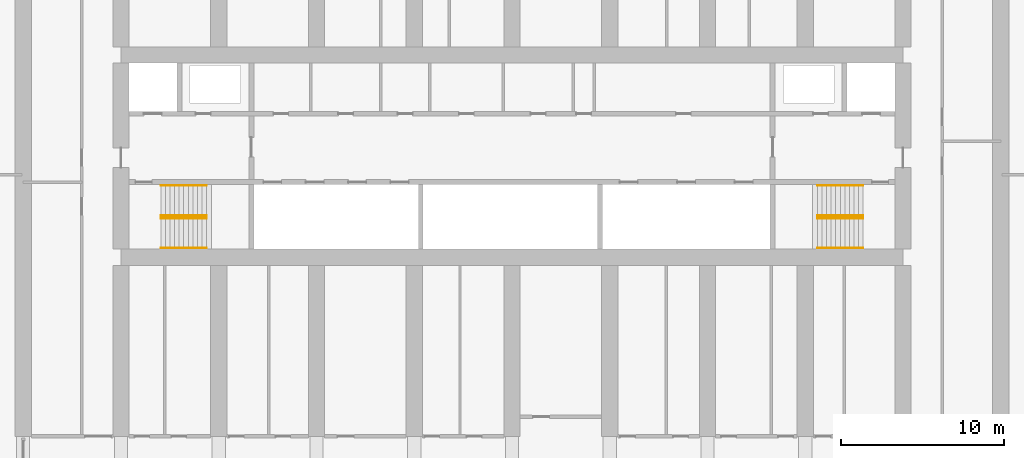
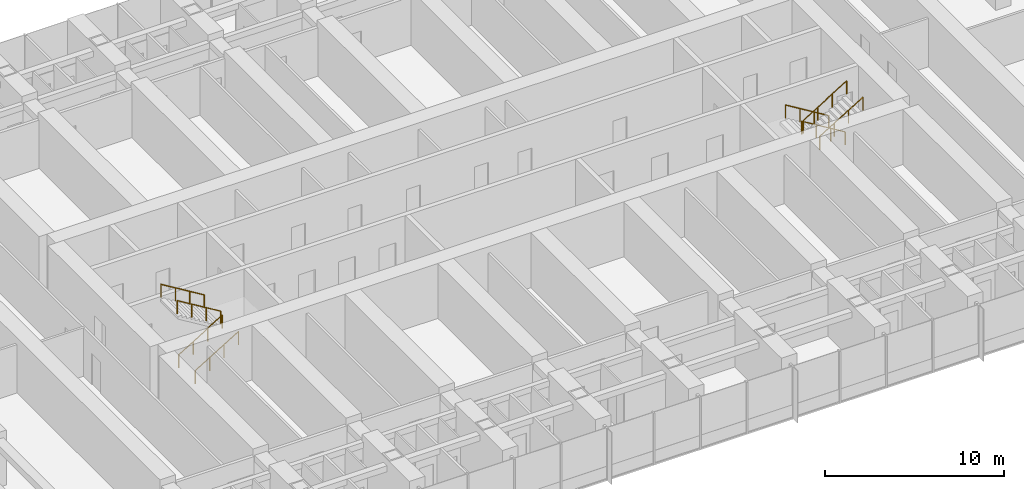
# One storey, part 24 of 24: 8 railings.
"""IFC4 building model written with IfcOpenShell, lengths in metres."""

from ifc_helpers import new_model, si_unit, direction, frame, origin, origin_2d, place, context, subcontext, project, spatial, circle, extrude, material, type_object, element, save


model = new_model("IFC4")

# Units and contexts
model_context = context("Model", 3, precision=1e-05, world=origin(), true_north=direction((0.0, 1.0)))
body_context = subcontext(model_context, "Body", "Model", "MODEL_VIEW")
ifc_project = project(units=[si_unit("LENGTHUNIT", "METRE"), si_unit("AREAUNIT", "SQUARE_METRE"), si_unit("VOLUMEUNIT", "CUBIC_METRE"), si_unit("PLANEANGLEUNIT", "RADIAN"), si_unit("MASSUNIT", "GRAM", prefix="KILO")], contexts=[model_context])

# Site, building, storey
site_placement = place(None, origin())
site = spatial("IfcSite", under=ifc_project, at=site_placement, CompositionType="ELEMENT")
building_placement = place(site_placement, origin())
building = spatial("IfcBuilding", under=site, at=building_placement, Name="Orbita Commons", CompositionType="ELEMENT")
storey_placement = place(building_placement, frame((0.0, 0.0, 35.199951171875)))
storey = spatial("IfcBuildingStorey", under=building, at=storey_placement, Name="L08", CompositionType="ELEMENT", Elevation=35.199951171875)

# Railings
ifc_material = material(Name="Steel tube, painted", Category="steel")
railing_type = type_object("IfcRailingType", Name="Stair handrail steel tube 900", PredefinedType="HANDRAIL", material=ifc_material)
for number, where, name in (
    (1, (20.449951171875, 28.18994140625, 0.17041015625), "Stair S1 handrail L08 flight 1"),
    (2, (20.449951171875, 26.360107421875, 0.17041015625), "Stair S1 handrail L08 flight 1"),
):
    element("IfcRailing", number, at=place(storey_placement, frame(where)), inside=storey, type_object=railing_type, Name=name, PredefinedType="HANDRAIL", context=body_context, shape_type="SweptSolid", body=[
        extrude(circle(Radius=0.02099609375, at=origin_2d()), frame((0.0, 0.0, 0.87890625), z_axis=(0.854169791009, 0.0, 0.51999420009), x_axis=(0.0, 1.0, 0.0)), (0.0, 0.0, 1.0), 3.278076171875),
        extrude(circle(Radius=0.02001953125, at=origin_2d()), origin(), (0.0, 0.0, 1.0), 0.85791015625),
        extrude(circle(Radius=0.02001953125, at=origin_2d()), frame((0.933349609375, 0.0, 0.568115234375)), (0.0, 0.0, 1.0), 0.85791015625),
        extrude(circle(Radius=0.02001953125, at=origin_2d()), frame((1.86669921875, 0.0, 1.136474609375)), (0.0, 0.0, 1.0), 0.85791015625),
        extrude(circle(Radius=0.02001953125, at=origin_2d()), frame((2.800048828125, 0.0, 1.70458984375)), (0.0, 0.0, 1.0), 0.85791015625),
    ])
for number, where, name in (
    (3, (23.25, 28.360107421875, 2.04541015625), "Stair S1 handrail L08 flight 2"),
    (4, (23.25, 30.18994140625, 2.04541015625), "Stair S1 handrail L08 flight 2"),
    (5, (63.550048828125, 28.360107421875, 0.17041015625), "Stair S2 handrail L08 flight 1"),
    (6, (63.550048828125, 30.18994140625, 0.17041015625), "Stair S2 handrail L08 flight 1"),
):
    element("IfcRailing", number, at=place(storey_placement, frame(where)), inside=storey, type_object=railing_type, Name=name, PredefinedType="HANDRAIL", context=body_context, shape_type="SweptSolid", body=[
        extrude(circle(Radius=0.02099609375, at=origin_2d()), frame((0.0, 0.0, 0.87890625), z_axis=(-0.854169791009, 0.0, 0.51999420009), x_axis=(0.0, -1.0, 0.0)), (0.0, 0.0, 1.0), 3.278076171875),
        extrude(circle(Radius=0.02001953125, at=origin_2d()), origin(), (0.0, 0.0, 1.0), 0.85791015625),
        extrude(circle(Radius=0.02001953125, at=origin_2d()), frame((-0.933349609375, 0.0, 0.568115234375)), (0.0, 0.0, 1.0), 0.85791015625),
        extrude(circle(Radius=0.02001953125, at=origin_2d()), frame((-1.86669921875, 0.0, 1.136474609375)), (0.0, 0.0, 1.0), 0.85791015625),
        extrude(circle(Radius=0.02001953125, at=origin_2d()), frame((-2.800048828125, 0.0, 1.70458984375)), (0.0, 0.0, 1.0), 0.85791015625),
    ])
for number, where, name in (
    (7, (60.75, 28.18994140625, 2.04541015625), "Stair S2 handrail L08 flight 2"),
    (8, (60.75, 26.360107421875, 2.04541015625), "Stair S2 handrail L08 flight 2"),
):
    element("IfcRailing", number, at=place(storey_placement, frame(where)), inside=storey, type_object=railing_type, Name=name, PredefinedType="HANDRAIL", context=body_context, shape_type="SweptSolid", body=[
        extrude(circle(Radius=0.02099609375, at=origin_2d()), frame((0.0, 0.0, 0.87890625), z_axis=(0.854169791009, 0.0, 0.51999420009), x_axis=(0.0, 1.0, 0.0)), (0.0, 0.0, 1.0), 3.278076171875),
        extrude(circle(Radius=0.02001953125, at=origin_2d()), origin(), (0.0, 0.0, 1.0), 0.85791015625),
        extrude(circle(Radius=0.02001953125, at=origin_2d()), frame((0.933349609375, 0.0, 0.568115234375)), (0.0, 0.0, 1.0), 0.85791015625),
        extrude(circle(Radius=0.02001953125, at=origin_2d()), frame((1.86669921875, 0.0, 1.136474609375)), (0.0, 0.0, 1.0), 0.85791015625),
        extrude(circle(Radius=0.02001953125, at=origin_2d()), frame((2.800048828125, 0.0, 1.70458984375)), (0.0, 0.0, 1.0), 0.85791015625),
    ])

save(model, "model.ifc")
